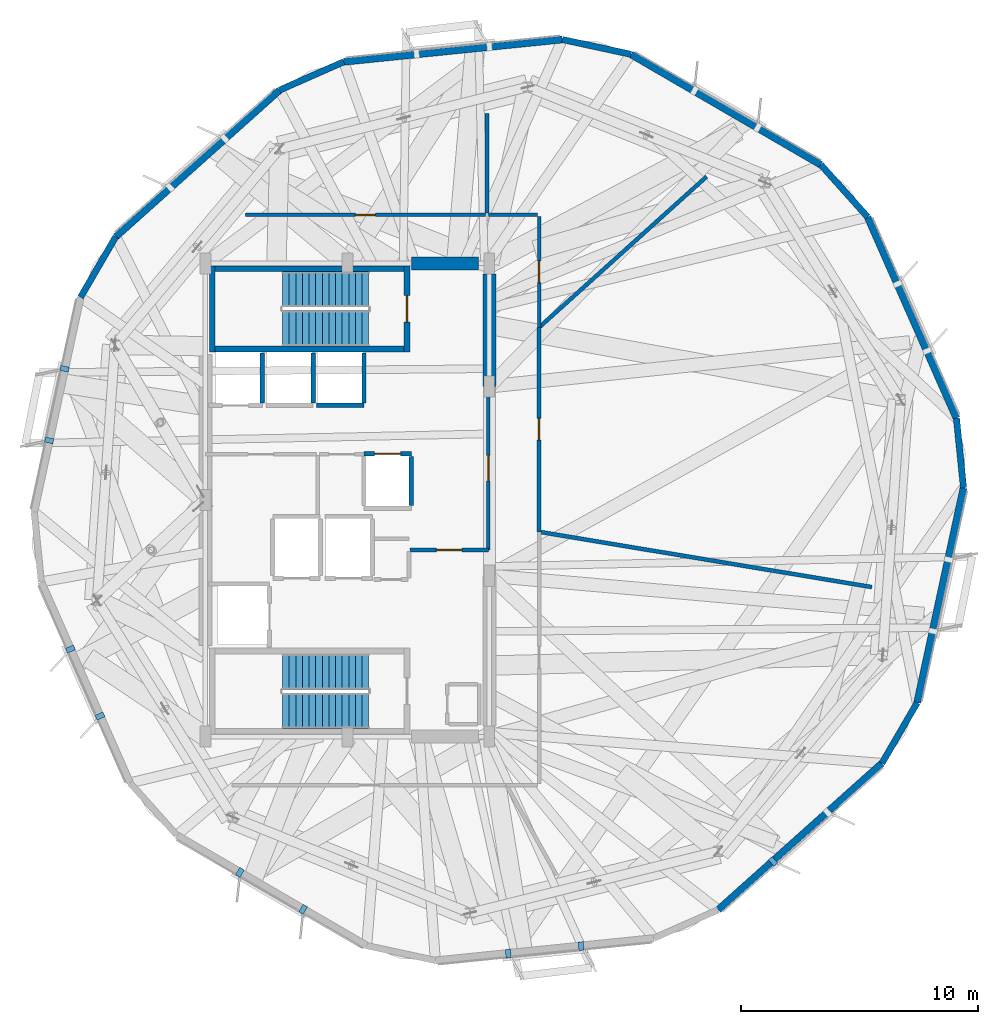
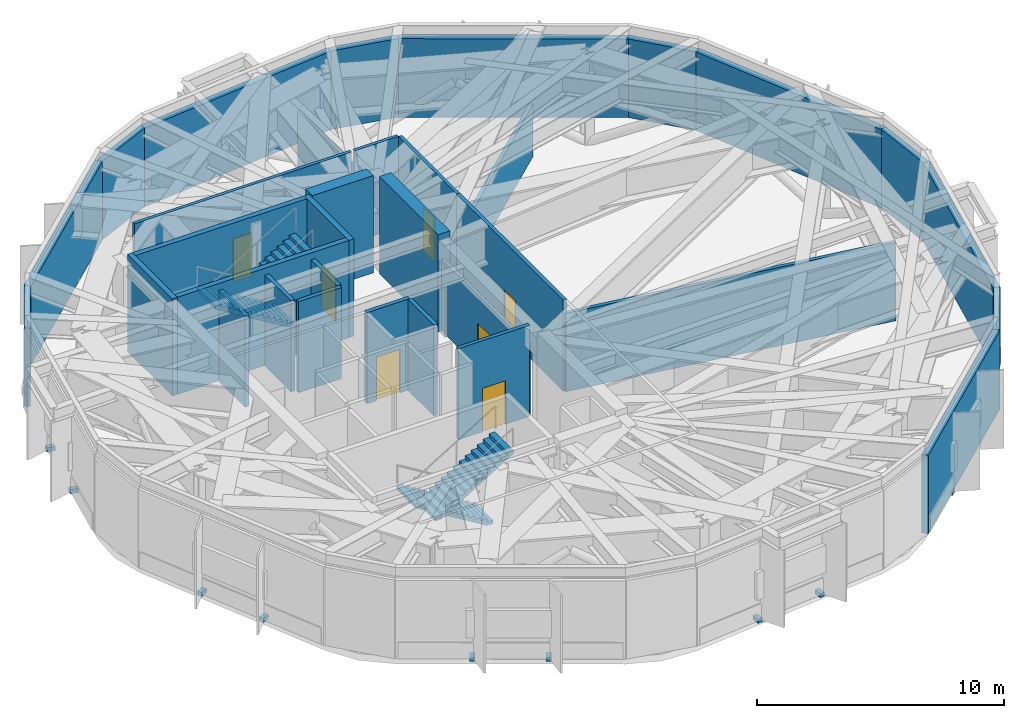
# One storey, part 9 of 14: 33 walls, 9 discrete accessories, 7 doors, 4 stair flights, 7 openings, 2 elements without a shape of their own.
"""IFC4 building model written with IfcOpenShell, lengths in metres."""

from ifc_helpers import new_model, si_unit, direction, frame, frame_2d, origin, origin_2d, place, context, subcontext, project, spatial, polyline, rectangle, outline, extrude, material, layer, layer_set, type_object, element, fill, aggregate, save


model = new_model("IFC4")

# Units and contexts
model_context = context("Model", 3, precision=1e-05, world=origin(), true_north=direction((0.0, 1.0)))
body_context = subcontext(model_context, "Body", "Model", "MODEL_VIEW")
ifc_project = project(units=[si_unit("LENGTHUNIT", "METRE"), si_unit("AREAUNIT", "SQUARE_METRE"), si_unit("VOLUMEUNIT", "CUBIC_METRE"), si_unit("PLANEANGLEUNIT", "RADIAN"), si_unit("MASSUNIT", "GRAM", prefix="KILO")], contexts=[model_context])

# Site, building, storey
site_placement = place(None, origin())
site = spatial("IfcSite", under=ifc_project, at=site_placement, CompositionType="ELEMENT")
building_placement = place(site_placement, origin())
building = spatial("IfcBuilding", under=site, at=building_placement, Name="Soratama Intermodal Tower", CompositionType="ELEMENT")
storey_placement = place(building_placement, frame((0.0, 0.0, 185.800048828125)))
storey = spatial("IfcBuildingStorey", under=building, at=storey_placement, Name="L46", CompositionType="ELEMENT", Elevation=185.800048828125)

# Walls
ifc_material_1 = material(Name="Concrete f'c 42 MPa", Category="concrete")
ifc_layer_1 = layer(ifc_material_1, 0.27001953125)
ifc_layer_set_1 = layer_set([ifc_layer_1], Name="Concrete f'c 42 MPa")
wall_type_1 = type_object("IfcWallType", Name="EW-CRN-270", PredefinedType="SOLIDWALL", material=ifc_layer_set_1)
wall_1_placement = place(storey_placement, frame((50.58349609375, 43.838134765625, 0.0), z_axis=(0.0, 0.0, 1.0), x_axis=(-0.977485778923, 0.211001308062, 0.0)))
element("IfcWall", 1, at=wall_1_placement, inside=storey, type_object=wall_type_1, Name="L46 Corner Closure Wall 01", PredefinedType="SOLIDWALL", context=body_context, shape_type="SweptSolid", body=[
    extrude(rectangle(XDim=2.966796875, YDim=0.27001953125, at=frame_2d((1.4833984375, 0.0))), origin(), (0.0, 0.0, 1.0), 3.87890625),
])
for number, where, z_axis, x_axis, name in (
    (2, (38.4443359375, 43.522216796875, 0.0), (0.0, 0.0, 1.0), (-0.914830177707, -0.403838762325, 0.0), "L46 Corner Closure Wall 02"),
    (3, (28.809326171875, 36.131591796875, 0.0), (0.0, 0.0, 1.0), (-0.502683394624, -0.864470592195, 0.0), "L46 Corner Closure Wall 03"),
    (4, (61.190673828125, 13.868408203125, 0.0), (0.0, 0.0, 1.0), (0.502683394624, 0.864470592195, 0.0), "L46 Corner Closure Wall 08"),
):
    element("IfcWall", number, at=place(storey_placement, frame(where, z_axis=z_axis, x_axis=x_axis)), inside=storey, type_object=wall_type_1, Name=name, PredefinedType="SOLIDWALL", context=body_context, shape_type="SweptSolid", body=[
        extrude(rectangle(XDim=2.966552734375, YDim=0.27001953125, at=frame_2d((1.4833984375, 0.0))), origin(), (0.0, 0.0, 1.0), 3.87890625),
    ])
wall_2_placement = place(storey_placement, frame((64.6416015625, 25.510986328125, 0.0), z_axis=(0.0, 0.0, 1.0), x_axis=(-0.101385701308, 0.994847194081, 0.0)))
element("IfcWall", 5, at=wall_2_placement, inside=storey, type_object=wall_type_1, Name="L46 Corner Closure Wall 09", PredefinedType="SOLIDWALL", context=body_context, shape_type="SweptSolid", body=[
    extrude(rectangle(XDim=2.966796875, YDim=0.27001953125, at=frame_2d((1.4833984375, 0.0))), origin(), (0.0, 0.0, 1.0), 3.87890625),
])
wall_3_placement = place(storey_placement, frame((60.58984375, 36.95849609375, 0.0), z_axis=(0.0, 0.0, 1.0), x_axis=(-0.666802076596, 0.745234856033, 0.0)))
element("IfcWall", 6, at=wall_3_placement, inside=storey, type_object=wall_type_1, Name="L46 Corner Closure Wall 10", PredefinedType="SOLIDWALL", context=body_context, shape_type="SweptSolid", body=[
    extrude(rectangle(XDim=2.966552734375, YDim=0.27001953125, at=frame_2d((1.4833984375, 0.0))), origin(), (0.0, 0.0, 1.0), 3.87890625),
])
ifc_material_2 = material(Name="Concrete f'c 42 MPa", Category="concrete")
ifc_layer_2 = layer(ifc_material_2, 0.300048828125)
ifc_layer_set_2 = layer_set([ifc_layer_2], Name="Concrete f'c 42 MPa")
wall_type_2 = type_object("IfcWallType", Name="EW-STONE-300", PredefinedType="SOLIDWALL", material=ifc_layer_set_2)
wall_4_placement = place(storey_placement, frame((58.61181640625, 39.169189453125, 0.0), z_axis=(0.0, 0.0, 1.0), x_axis=(-0.864445551727, 0.502726454544, 0.0)))
element("IfcWall", 7, at=wall_4_placement, inside=storey, type_object=wall_type_2, Name="L46 Plant Wall F01", PredefinedType="SOLIDWALL", context=body_context, shape_type="SweptSolid", body=[
    extrude(rectangle(XDim=9.287353515625, YDim=0.300048828125, at=frame_2d((4.6435546875, 0.0))), origin(), (0.0, 0.0, 1.0), 3.87890625),
])
for number, where, z_axis, x_axis, name in (
    (8, (47.68359375, 44.464111328125, 0.0), (0.0, 0.0, 1.0), (-0.994843782039, -0.101419176385, 0.0), "L46 Plant Wall F02"),
    (9, (35.73046875, 42.32421875, 0.0), (0.0, 0.0, 1.0), (-0.745239938456, -0.666796396308, 0.0), "L46 Plant Wall F03"),
    (10, (54.26953125, 7.67578125, 0.0), (0.0, 0.0, 1.0), (0.745239938456, 0.666796396308, 0.0), "L46 Plant Wall F08"),
):
    element("IfcWall", number, at=place(storey_placement, frame(where, z_axis=z_axis, x_axis=x_axis)), inside=storey, type_object=wall_type_2, Name=name, PredefinedType="SOLIDWALL", context=body_context, shape_type="SweptSolid", body=[
        extrude(rectangle(XDim=9.287109375, YDim=0.300048828125, at=frame_2d((4.6435546875, 0.0))), origin(), (0.0, 0.0, 1.0), 3.87890625),
    ])
for number, where, z_axis, x_axis, name in (
    (11, (62.681884765625, 16.432861328125, 0.0), (0.0, 0.0, 1.0), (0.211011733092, 0.977483528504, 0.0), "L46 Plant Wall F09"),
    (12, (64.3408203125, 28.46240234375, 0.0), (0.0, 0.0, 1.0), (-0.403883538706, 0.914810410502, 0.0), "L46 Plant Wall F10"),
):
    element("IfcWall", number, at=place(storey_placement, frame(where, z_axis=z_axis, x_axis=x_axis)), inside=storey, type_object=wall_type_2, Name=name, PredefinedType="SOLIDWALL", context=body_context, shape_type="SweptSolid", body=[
        extrude(rectangle(XDim=9.287353515625, YDim=0.300048828125, at=frame_2d((4.6435546875, 0.0))), origin(), (0.0, 0.0, 1.0), 3.87890625),
    ])

# Wall, opening, door
ifc_material_3 = material(Name="Fire-rated gypsum stud partition", Category="concrete")
ifc_layer_3 = layer(ifc_material_3, 0.14990234375)
ifc_layer_set_3 = layer_set([ifc_layer_3], Name="Fire-rated gypsum stud partition")
wall_type_3 = type_object("IfcWallType", Name="IW-PART-R150", PredefinedType="PARTITIONING", material=ifc_layer_set_3)
wall_5_placement = place(storey_placement, frame((44.56005859375, 29.800048828125, 0.0), z_axis=(0.0, 0.0, 1.0), x_axis=(0.0, -1.0, 0.0)))
wall_5 = element("IfcWall", 13, at=wall_5_placement, inside=storey, type_object=wall_type_3, Name="L46 Partition W-L46-TP003", PredefinedType="PARTITIONING", context=body_context, shape_type="SweptSolid", body=[
    extrude(rectangle(XDim=6.91015625, YDim=0.14990234375, at=frame_2d((3.455078125, 0.0))), origin(), (0.0, 0.0, 1.0), 3.5400390625),
])
opening_1_placement = place(wall_5_placement, frame((2.9150390625, 0.0, 0.0)))
opening_1 = element("IfcOpeningElement", 14, at=opening_1_placement, cuts=wall_5, Name="Opening ID-1", PredefinedType="OPENING", context=body_context, shape_type="SweptSolid", body=[
    extrude(rectangle(XDim=1.080078125, YDim=2.14990234375, at=frame_2d((0.5400390625, 1.074951171875))), frame((0.0, 0.0849609375, 0.0), z_axis=(0.0, -1.0, 0.0), x_axis=(1.0, 0.0, 0.0)), (0.0, 0.0, 1.0), 0.169921875),
])
ifc_material_4 = material(Name="Solid hardwood acoustic door", Category="wood")
door_type_1 = type_object("IfcDoorType", Name="DR-LOB-FD60", OperationType="NOTDEFINED", PredefinedType="DOOR", material=ifc_material_4)
door_1_placement = place(opening_1_placement, origin())
door_1 = element("IfcDoor", 15, at=door_1_placement, inside=storey, type_object=door_type_1, Name="L46 Door D-L46-TP003", OperationType="SINGLE_SWING_RIGHT", OverallHeight=2.14990234375, OverallWidth=1.080078125, PredefinedType="DOOR", context=body_context, shape_type="SweptSolid", body=[
    extrude(rectangle(XDim=1.080078125, YDim=2.14990234375, at=frame_2d((0.5400390625, 1.074951171875))), frame((0.0, 0.02490234375, 0.0), z_axis=(0.0, -1.0, 0.0), x_axis=(1.0, 0.0, 0.0)), (0.0, 0.0, 1.0), 0.050048828125),
])
fill(opening_1, door_1)

wall_6_placement = place(storey_placement, frame((46.699951171875, 36.97998046875, 0.0), z_axis=(0.0, 0.0, 1.0), x_axis=(0.0, -1.0, 0.0)))
wall_6 = element("IfcWall", 16, at=wall_6_placement, inside=storey, type_object=wall_type_3, Name="L46 Partition W-L46-TP005", PredefinedType="PARTITIONING", context=body_context, shape_type="SweptSolid", body=[
    extrude(rectangle(XDim=4.68701171875, YDim=0.14990234375, at=frame_2d((2.343505859375, 0.0))), origin(), (0.0, 0.0, 1.0), 4.5),
])
opening_2_placement = place(wall_6_placement, frame((1.867919921875, 0.0, 0.0)))
opening_2 = element("IfcOpeningElement", 17, at=opening_2_placement, cuts=wall_6, Name="Opening ID-6", PredefinedType="OPENING", context=body_context, shape_type="SweptSolid", body=[
    extrude(rectangle(XDim=0.919921875, YDim=2.1201171875, at=frame_2d((0.4599609375, 1.06005859375))), frame((0.0, 0.0849609375, 0.0), z_axis=(0.0, -1.0, 0.0), x_axis=(1.0, 0.0, 0.0)), (0.0, 0.0, 1.0), 0.169921875),
])
ifc_material_5 = material(Name="Solid hardwood acoustic door", Category="wood")
door_type_2 = type_object("IfcDoorType", Name="DR-ROOM-920", OperationType="NOTDEFINED", PredefinedType="DOOR", material=ifc_material_5)
door_2_placement = place(opening_2_placement, origin())
door_2 = element("IfcDoor", 18, at=door_2_placement, inside=storey, type_object=door_type_2, Name="L46 Door D-L46-TP005", OperationType="SINGLE_SWING_RIGHT", OverallHeight=2.1201171875, OverallWidth=0.919921875, PredefinedType="DOOR", context=body_context, shape_type="SweptSolid", body=[
    extrude(rectangle(XDim=0.919921875, YDim=2.1201171875, at=frame_2d((0.4599609375, 1.06005859375))), frame((0.0, 0.02490234375, 0.0), z_axis=(0.0, -1.0, 0.0), x_axis=(1.0, 0.0, 0.0)), (0.0, 0.0, 1.0), 0.050048828125),
])
fill(opening_2, door_2)

# Wall
wall_7_placement = place(storey_placement, frame((44.570068359375, 37.050048828125, 0.0), z_axis=(0.0, 0.0, 1.0), x_axis=(1.0, 0.0, 0.0)))
element("IfcWall", 19, at=wall_7_placement, inside=storey, type_object=wall_type_3, Name="L46 Partition W-L46-TP008", PredefinedType="PARTITIONING", context=body_context, shape_type="SweptSolid", body=[
    extrude(rectangle(XDim=2.059814453125, YDim=0.14990234375, at=frame_2d((1.02978515625, 0.0))), origin(), (0.0, 0.0, 1.0), 4.5),
])

# Wall, opening, door
wall_8_placement = place(storey_placement, frame((34.2919921875, 37.050048828125, 0.0), z_axis=(0.0, 0.0, 1.0), x_axis=(1.0, 0.0, 0.0)))
wall_8 = element("IfcWall", 20, at=wall_8_placement, inside=storey, type_object=wall_type_3, Name="L46 Partition W-L46-TP015", PredefinedType="PARTITIONING", context=body_context, shape_type="SweptSolid", body=[
    extrude(rectangle(XDim=10.137939453125, YDim=0.14990234375, at=frame_2d((5.06884765625, 0.0))), origin(), (0.0, 0.0, 1.0), 4.5),
])
opening_3_placement = place(wall_8_placement, frame((4.64404296875, 0.0, 0.0)))
opening_3 = element("IfcOpeningElement", 21, at=opening_3_placement, cuts=wall_8, Name="Opening ID-4", PredefinedType="OPENING", context=body_context, shape_type="SweptSolid", body=[
    extrude(rectangle(XDim=0.85009765625, YDim=2.10009765625, at=frame_2d((0.425048828125, 1.050048828125))), frame((0.0, 0.0849609375, 0.0), z_axis=(0.0, -1.0, 0.0), x_axis=(1.0, 0.0, 0.0)), (0.0, 0.0, 1.0), 0.169921875),
])
ifc_material_6 = material(Name="Solid hardwood acoustic door", Category="wood")
door_type_3 = type_object("IfcDoorType", Name="DR-BATH-850", OperationType="NOTDEFINED", PredefinedType="DOOR", material=ifc_material_6)
door_3_placement = place(opening_3_placement, origin())
door_3 = element("IfcDoor", 22, at=door_3_placement, inside=storey, type_object=door_type_3, Name="L46 Door D-L46-TP009", OperationType="SINGLE_SWING_LEFT", OverallHeight=2.10009765625, OverallWidth=0.85009765625, PredefinedType="DOOR", context=body_context, shape_type="SweptSolid", body=[
    extrude(rectangle(XDim=0.85009765625, YDim=2.10009765625, at=frame_2d((0.425048828125, 1.050048828125))), frame((0.0, 0.02490234375, 0.0), z_axis=(0.0, -1.0, 0.0), x_axis=(1.0, 0.0, 0.0)), (0.0, 0.0, 1.0), 0.050048828125),
])
fill(opening_3, door_3)

# Wall
wall_9_placement = place(storey_placement, frame((44.5, 41.341064453125, 0.0), z_axis=(0.0, 0.0, 1.0), x_axis=(0.0, -1.0, 0.0)))
element("IfcWall", 23, at=wall_9_placement, inside=storey, type_object=wall_type_3, Name="L46 Partition W-L46-TP018", PredefinedType="PARTITIONING", context=body_context, shape_type="SweptSolid", body=[
    extrude(rectangle(XDim=4.220947265625, YDim=0.14990234375, at=frame_2d((2.1103515625, 0.0))), origin(), (0.0, 0.0, 1.0), 3.8740234375),
])

# Wall, opening, door
ifc_material_7 = material(Name="Fire-rated gypsum stud partition", Category="concrete")
ifc_layer_4 = layer(ifc_material_7, 0.169921875)
ifc_layer_set_4 = layer_set([ifc_layer_4], Name="Fire-rated gypsum stud partition")
wall_type_4 = type_object("IfcWallType", Name="IW-PART-R170", PredefinedType="PARTITIONING", material=ifc_layer_set_4)
wall_10_placement = place(storey_placement, frame((46.699951171875, 32.29296875, 0.0), z_axis=(0.0, 0.0, 1.0), x_axis=(0.0, -1.0, 0.0)))
wall_10 = element("IfcWall", 24, at=wall_10_placement, inside=storey, type_object=wall_type_4, Name="L46 Partition W-L46-TP002", PredefinedType="PARTITIONING", context=body_context, shape_type="SweptSolid", body=[
    extrude(rectangle(XDim=8.638916015625, YDim=0.169921875, at=frame_2d((4.3193359375, 0.0))), origin(), (0.0, 0.0, 1.0), 4.5),
])
opening_4_placement = place(wall_10_placement, frame((3.843994140625, 0.0, 0.0)))
opening_4 = element("IfcOpeningElement", 25, at=opening_4_placement, cuts=wall_10, Name="Opening ID-6", PredefinedType="OPENING", context=body_context, shape_type="SweptSolid", body=[
    extrude(rectangle(XDim=0.919921875, YDim=2.1201171875, at=frame_2d((0.4599609375, 1.06005859375))), frame((0.0, 0.094970703125, 0.0), z_axis=(0.0, -1.0, 0.0), x_axis=(1.0, 0.0, 0.0)), (0.0, 0.0, 1.0), 0.18994140625),
])
door_4_placement = place(opening_4_placement, origin())
door_4 = element("IfcDoor", 26, at=door_4_placement, inside=storey, type_object=door_type_2, Name="L46 Door D-L46-TP002", OperationType="SINGLE_SWING_LEFT", OverallHeight=2.1201171875, OverallWidth=0.919921875, PredefinedType="DOOR", context=body_context, shape_type="SweptSolid", body=[
    extrude(rectangle(XDim=0.919921875, YDim=2.1201171875, at=frame_2d((0.4599609375, 1.06005859375))), frame((0.0, 0.02490234375, 0.0), z_axis=(0.0, -1.0, 0.0), x_axis=(1.0, 0.0, 0.0)), (0.0, 0.0, 1.0), 0.050048828125),
])
fill(opening_4, door_4)

wall_11_placement = place(storey_placement, frame((41.239990234375, 22.889892578125, 0.0), z_axis=(0.0, 0.0, 1.0), x_axis=(1.0, 0.0, 0.0)))
wall_11 = element("IfcWall", 27, at=wall_11_placement, inside=storey, type_object=wall_type_4, Name="L46 Partition W-L46-TP006", PredefinedType="PARTITIONING", context=body_context, shape_type="SweptSolid", body=[
    extrude(rectangle(XDim=3.320068359375, YDim=0.169921875, at=frame_2d((1.66015625, 0.0))), origin(), (0.0, 0.0, 1.0), 4.5),
])
opening_5_placement = place(wall_11_placement, frame((1.1201171875, 0.0, 0.0)))
opening_5 = element("IfcOpeningElement", 28, at=opening_5_placement, cuts=wall_11, Name="Opening ID-0", PredefinedType="OPENING", context=body_context, shape_type="SweptSolid", body=[
    extrude(rectangle(XDim=1.080078125, YDim=2.14990234375, at=frame_2d((0.5400390625, 1.074951171875))), frame((0.0, 0.094970703125, 0.0), z_axis=(0.0, -1.0, 0.0), x_axis=(1.0, 0.0, 0.0)), (0.0, 0.0, 1.0), 0.18994140625),
])
ifc_material_8 = material(Name="Solid hardwood acoustic door", Category="wood")
door_type_4 = type_object("IfcDoorType", Name="DR-LOB-FD90", OperationType="NOTDEFINED", PredefinedType="DOOR", material=ifc_material_8)
door_5_placement = place(opening_5_placement, origin())
door_5 = element("IfcDoor", 29, at=door_5_placement, inside=storey, type_object=door_type_4, Name="L46 Door D-L46-TP006", OperationType="SINGLE_SWING_LEFT", OverallHeight=2.14990234375, OverallWidth=1.080078125, PredefinedType="DOOR", context=body_context, shape_type="SweptSolid", body=[
    extrude(rectangle(XDim=1.080078125, YDim=2.14990234375, at=frame_2d((0.5400390625, 1.074951171875))), frame((0.0, 0.02490234375, 0.0), z_axis=(0.0, -1.0, 0.0), x_axis=(1.0, 0.0, 0.0)), (0.0, 0.0, 1.0), 0.050048828125),
])
fill(opening_5, door_5)

# Walls
wall_12_placement = place(storey_placement, frame((60.76806640625, 21.319091796875, 0.0), z_axis=(0.0, 0.0, 1.0), x_axis=(-0.986504286451, 0.163735435427, 0.0)))
element("IfcWall", 30, at=wall_12_placement, inside=storey, type_object=wall_type_4, Name="L46 Partition W-L46-TP013", PredefinedType="PARTITIONING", context=body_context, shape_type="SweptSolid", body=[
    extrude(rectangle(XDim=14.260498046875, YDim=0.169921875, at=frame_2d((7.13037109375, 0.0))), origin(), (0.0, 0.0, 1.0), 3.8740234375),
])
wall_13_placement = place(storey_placement, frame((53.781005859375, 38.6689453125, 0.0), z_axis=(0.0, 0.0, 1.0), x_axis=(-0.743136147703, -0.669140243878, 0.0)))
element("IfcWall", 31, at=wall_13_placement, inside=storey, type_object=wall_type_4, Name="L46 Partition W-L46-TP016", PredefinedType="PARTITIONING", context=body_context, shape_type="SweptSolid", body=[
    extrude(rectangle(XDim=9.528564453125, YDim=0.169921875, at=frame_2d((4.76416015625, 0.0))), origin(), (0.0, 0.0, 1.0), 2.570068359375),
])

# Wall, opening, door
ifc_material_9 = material(Name="Concrete f'c 42 MPa", Category="concrete")
ifc_layer_5 = layer(ifc_material_9, 0.18505859375)
ifc_layer_set_5 = layer_set([ifc_layer_5], Name="Concrete f'c 42 MPa")
wall_type_5 = type_object("IfcWallType", Name="IW-SHAFT-185", PredefinedType="SOLIDWALL", material=ifc_layer_set_5)
wall_14_placement = place(storey_placement, frame((39.300048828125, 26.949951171875, 0.0), z_axis=(0.0, 0.0, 1.0), x_axis=(1.0, 0.0, 0.0)))
wall_14 = element("IfcWall", 32, at=wall_14_placement, inside=storey, type_object=wall_type_5, Name="L46 PL-M1 Hoistway Wall N", PredefinedType="SOLIDWALL", context=body_context, shape_type="SweptSolid", body=[
    extrude(rectangle(XDim=2.0, YDim=0.18505859375, at=frame_2d((1.0, 0.0))), origin(), (0.0, 0.0, 1.0), 4.5),
])
opening_6_placement = place(wall_14_placement, frame((0.449951171875, 0.0, 0.0)))
opening_6 = element("IfcOpeningElement", 33, at=opening_6_placement, cuts=wall_14, Name="Opening LD-1", PredefinedType="OPENING", context=body_context, shape_type="SweptSolid", body=[
    extrude(rectangle(XDim=1.10009765625, YDim=2.14990234375, at=frame_2d((0.550048828125, 1.074951171875))), frame((0.0, 0.1025390625, 0.0), z_axis=(0.0, -1.0, 0.0), x_axis=(1.0, 0.0, 0.0)), (0.0, 0.0, 1.0), 0.205078125),
])
ifc_material_10 = material(Name="Steel fire door", Category="steel")
door_type_5 = type_object("IfcDoorType", Name="DR-LIFT-SLIDE", OperationType="NOTDEFINED", PredefinedType="DOOR", material=ifc_material_10)
door_6_placement = place(opening_6_placement, origin())
door_6 = element("IfcDoor", 34, at=door_6_placement, inside=storey, type_object=door_type_5, Name="L46 PL-M1 Sliding Landing Door", OperationType="SLIDING_TO_LEFT", OverallHeight=2.14990234375, OverallWidth=1.10009765625, PredefinedType="DOOR", context=body_context, shape_type="SweptSolid", body=[
    extrude(rectangle(XDim=1.10009765625, YDim=2.14990234375, at=frame_2d((0.550048828125, 1.074951171875))), frame((0.0, 0.02490234375, 0.0), z_axis=(0.0, -1.0, 0.0), x_axis=(1.0, 0.0, 0.0)), (0.0, 0.0, 1.0), 0.050048828125),
])
fill(opening_6, door_6)

# Walls
wall_15_placement = place(storey_placement, frame((41.300048828125, 24.760009765625, 0.0), z_axis=(0.0, 0.0, 1.0), x_axis=(0.0, 1.0, 0.0)))
element("IfcWall", 35, at=wall_15_placement, inside=storey, type_object=wall_type_5, Name="L46 PL-M1 Hoistway Wall E", PredefinedType="SOLIDWALL", context=body_context, shape_type="SweptSolid", body=[
    extrude(rectangle(XDim=2.080078125, YDim=0.18505859375, at=frame_2d((1.0400390625, 0.0))), origin(), (0.0, 0.0, 1.0), 4.5),
])
for number, where, z_axis, x_axis, name in (
    (36, (35.0, 29.110107421875, 0.0), (0.0, 0.0, 1.0), (0.0, 1.0, 0.0), "L46 PL-M2 Hoistway Wall E"),
    (37, (37.14990234375, 29.110107421875, 0.0), (0.0, 0.0, 1.0), (0.0, 1.0, 0.0), "L46 PL-H1 Hoistway Wall E"),
):
    element("IfcWall", number, at=place(storey_placement, frame(where, z_axis=z_axis, x_axis=x_axis)), inside=storey, type_object=wall_type_5, Name=name, PredefinedType="SOLIDWALL", context=body_context, shape_type="SweptSolid", body=[
        extrude(rectangle(XDim=2.099853515625, YDim=0.18505859375, at=frame_2d((1.0498046875, 0.0))), origin(), (0.0, 0.0, 1.0), 4.5),
    ])
wall_16_placement = place(storey_placement, frame((37.300048828125, 29.0, 0.0), z_axis=(0.0, 0.0, 1.0), x_axis=(1.0, 0.0, 0.0)))
element("IfcWall", 38, at=wall_16_placement, inside=storey, type_object=wall_type_5, Name="L46 PL-H2 Hoistway Wall S", PredefinedType="SOLIDWALL", context=body_context, shape_type="SweptSolid", body=[
    extrude(rectangle(XDim=2.0, YDim=0.18505859375, at=frame_2d((1.0, 0.0))), origin(), (0.0, 0.0, 1.0), 4.5),
])
wall_17_placement = place(storey_placement, frame((39.300048828125, 29.110107421875, 0.0), z_axis=(0.0, 0.0, 1.0), x_axis=(0.0, 1.0, 0.0)))
element("IfcWall", 39, at=wall_17_placement, inside=storey, type_object=wall_type_5, Name="L46 PL-H2 Hoistway Wall E", PredefinedType="SOLIDWALL", context=body_context, shape_type="SweptSolid", body=[
    extrude(rectangle(XDim=2.099853515625, YDim=0.18505859375, at=frame_2d((1.0498046875, 0.0))), origin(), (0.0, 0.0, 1.0), 4.5),
])
ifc_material_11 = material(Name="Concrete f'c 56 MPa", Category="concrete")
ifc_layer_6 = layer(ifc_material_11, 0.550048828125)
ifc_layer_set_6 = layer_set([ifc_layer_6], Name="Concrete f'c 56 MPa")
wall_type_6 = type_object("IfcWallType", Name="SW-CORE-550", PredefinedType="SHEAR", material=ifc_layer_set_6)
wall_18_placement = place(storey_placement, frame((41.300048828125, 35.0, 0.0), z_axis=(0.0, 0.0, 1.0), x_axis=(1.0, 0.0, 0.0)))
element("IfcWall", 40, at=wall_18_placement, inside=storey, type_object=wall_type_6, Name="L46 Core Shear Wall CW-NE", PredefinedType="SHEAR", context=body_context, shape_type="SweptSolid", body=[
    extrude(rectangle(XDim=2.849853515625, YDim=0.550048828125, at=frame_2d((1.4248046875, 0.0))), origin(), (0.0, 0.0, 1.0), 4.800048828125),
])
wall_19_placement = place(storey_placement, frame((44.60009765625, 29.800048828125, 0.0), z_axis=(0.0, 0.0, 1.0), x_axis=(0.0, 1.0, 0.0)))
element("IfcWall", 41, at=wall_19_placement, inside=storey, type_object=wall_type_6, Name="L46 Core Shear Wall CW-EN", PredefinedType="SHEAR", context=body_context, shape_type="SweptSolid", body=[
    extrude(rectangle(XDim=4.75, YDim=0.550048828125, at=frame_2d((2.375, 0.0))), origin(), (0.0, 0.0, 1.0), 4.800048828125),
])
ifc_material_12 = material(Name="Concrete f'c 56 MPa", Category="concrete")
ifc_layer_7 = layer(ifc_material_12, 0.239990234375)
ifc_layer_set_7 = layer_set([ifc_layer_7], Name="Concrete f'c 56 MPa")
wall_type_7 = type_object("IfcWallType", Name="SW-STAIR-240", PredefinedType="SHEAR", material=ifc_layer_set_7)
wall_20_placement = place(storey_placement, frame((32.8798828125, 31.260009765625, 0.0), z_axis=(0.0, 0.0, 1.0), x_axis=(0.0, 1.0, 0.0)))
element("IfcWall", 42, at=wall_20_placement, inside=storey, type_object=wall_type_7, Name="L46 ST-2 Shaft Shear Wall W", PredefinedType="SHEAR", context=body_context, shape_type="SweptSolid", body=[
    extrude(rectangle(XDim=3.6298828125, YDim=0.239990234375, at=frame_2d((1.81494140625, 0.0))), origin(), (0.0, 0.0, 1.0), 4.800048828125),
])

# Wall, opening, door
wall_21_placement = place(storey_placement, frame((41.1201171875, 31.260009765625, 0.0), z_axis=(0.0, 0.0, 1.0), x_axis=(0.0, 1.0, 0.0)))
wall_21 = element("IfcWall", 43, at=wall_21_placement, inside=storey, type_object=wall_type_7, Name="L46 ST-2 Shaft Shear Wall E", PredefinedType="SHEAR", context=body_context, shape_type="SweptSolid", body=[
    extrude(rectangle(XDim=3.6298828125, YDim=0.239990234375, at=frame_2d((1.81494140625, 0.0))), origin(), (0.0, 0.0, 1.0), 4.800048828125),
])
opening_7_placement = place(wall_21_placement, frame((1.2548828125, 0.0, 0.0)))
opening_7 = element("IfcOpeningElement", 44, at=opening_7_placement, cuts=wall_21, Name="Opening SD-1", PredefinedType="OPENING", context=body_context, shape_type="SweptSolid", body=[
    extrude(rectangle(XDim=1.1201171875, YDim=2.14990234375, at=frame_2d((0.56005859375, 1.074951171875))), frame((0.0, 0.1298828125, 0.0), z_axis=(0.0, -1.0, 0.0), x_axis=(1.0, 0.0, 0.0)), (0.0, 0.0, 1.0), 0.260009765625),
])
ifc_material_13 = material(Name="Steel fire door", Category="steel")
door_type_6 = type_object("IfcDoorType", Name="DR-STAIR-FD90", OperationType="NOTDEFINED", PredefinedType="DOOR", material=ifc_material_13)
door_7_placement = place(opening_7_placement, origin())
door_7 = element("IfcDoor", 45, at=door_7_placement, inside=storey, type_object=door_type_6, Name="L46 ST-2 Exit Stair Door", OperationType="SINGLE_SWING_RIGHT", OverallHeight=2.14990234375, OverallWidth=1.1201171875, PredefinedType="DOOR", context=body_context, shape_type="SweptSolid", body=[
    extrude(rectangle(XDim=1.1201171875, YDim=2.14990234375, at=frame_2d((0.56005859375, 1.074951171875))), frame((0.0, 0.02490234375, 0.0), z_axis=(0.0, -1.0, 0.0), x_axis=(1.0, 0.0, 0.0)), (0.0, 0.0, 1.0), 0.050048828125),
])
fill(opening_7, door_7)

# Walls
for number, where, z_axis, x_axis, name in (
    (46, (33.0, 31.3798828125, 0.0), (0.0, 0.0, 1.0), (1.0, 0.0, 0.0), "L46 ST-2 Shaft Shear Wall S"),
    (47, (33.0, 34.77001953125, 0.0), (0.0, 0.0, 1.0), (1.0, 0.0, 0.0), "L46 ST-2 Shaft Shear Wall N"),
):
    element("IfcWall", number, at=place(storey_placement, frame(where, z_axis=z_axis, x_axis=x_axis)), inside=storey, type_object=wall_type_7, Name=name, PredefinedType="SHEAR", context=body_context, shape_type="SweptSolid", body=[
        extrude(rectangle(XDim=8.0, YDim=0.239990234375, at=frame_2d((4.0, 0.0))), origin(), (0.0, 0.0, 1.0), 4.800048828125),
    ])

# Stair, stair flights
ifc_material_14 = material(Name="Concrete f'c 42 MPa", Category="concrete")
stair_type = type_object("IfcStairType", Name="ST-CORE-DOGLEG", PredefinedType="HALF_TURN_STAIR", material=ifc_material_14)
stair_1_placement = place(storey_placement, origin())
stair_1 = element("IfcStair", 48, at=stair_1_placement, inside=storey, type_object=stair_type, Name="L46 ST-1", PredefinedType="HALF_TURN_STAIR")
ifc_material_15 = material(Name="Precast concrete f'c 40 MPa", Category="concrete")
ifc_layer_8 = layer(ifc_material_15, 0.199951171875)
ifc_layer_set_8 = layer_set([ifc_layer_8], Name="Precast concrete f'c 40 MPa")
stair_flight_type = type_object("IfcStairFlightType", Name="SF-FLIGHT-RC", PredefinedType="STRAIGHT", material=ifc_layer_set_8)
stair_flight_1_placement = place(storey_placement, frame((39.5, 17.75, 0.0), z_axis=(0.0, 0.0, 1.0), x_axis=(-1.0, 0.0, 0.0)))
stair_flight_1 = element("IfcStairFlight", 49, at=stair_flight_1_placement, type_object=stair_flight_type, Name="ST-1 flight 1", NumberOfRisers=14, NumberOfTreads=13, PredefinedType="STRAIGHT", RiserHeight=0.171428571, TreadLength=0.28, context=body_context, shape_type="SweptSolid", body=[
    extrude(outline(polyline([(0.0, 0.0), (0.0, 0.17138671875), (0.280029296875, 0.17138671875), (0.280029296875, 0.3427734375), (0.56005859375, 0.3427734375), (0.56005859375, 0.514404296875), (0.840087890625, 0.514404296875), (0.840087890625, 0.685791015625), (1.1201171875, 0.685791015625), (1.1201171875, 0.857177734375), (1.39990234375, 0.857177734375), (1.39990234375, 1.028564453125), (1.679931640625, 1.028564453125), (1.679931640625, 1.199951171875), (1.9599609375, 1.199951171875), (1.9599609375, 1.371337890625), (2.239990234375, 1.371337890625), (2.239990234375, 1.54296875), (2.52001953125, 1.54296875), (2.52001953125, 1.71435546875), (2.800048828125, 1.71435546875), (2.800048828125, 1.8857421875), (3.080078125, 1.8857421875), (3.080078125, 2.05712890625), (3.360107421875, 2.05712890625), (3.360107421875, 2.228515625), (3.639892578125, 2.228515625), (3.639892578125, 2.39990234375), (3.639892578125, 2.052734375), (0.287109375, 0.0), (0.0, 0.0)])), frame((0.0, 0.75, 0.0), z_axis=(0.0, -1.0, 0.0), x_axis=(1.0, 0.0, 0.0)), (0.0, 0.0, 1.0), 1.5),
])
stair_flight_2_placement = place(storey_placement, frame((35.860107421875, 16.10009765625, 2.39990234375), z_axis=(0.0, 0.0, 1.0), x_axis=(1.0, 0.0, 0.0)))
stair_flight_2 = element("IfcStairFlight", 50, at=stair_flight_2_placement, type_object=stair_flight_type, Name="ST-1 flight 2", NumberOfRisers=14, NumberOfTreads=13, PredefinedType="STRAIGHT", RiserHeight=0.171428571, TreadLength=0.28, context=body_context, shape_type="SweptSolid", body=[
    extrude(outline(polyline([(0.0, 0.0), (0.0, 0.17138671875), (0.280029296875, 0.17138671875), (0.280029296875, 0.3427734375), (0.56005859375, 0.3427734375), (0.56005859375, 0.514404296875), (0.840087890625, 0.514404296875), (0.840087890625, 0.685791015625), (1.1201171875, 0.685791015625), (1.1201171875, 0.857177734375), (1.39990234375, 0.857177734375), (1.39990234375, 1.028564453125), (1.679931640625, 1.028564453125), (1.679931640625, 1.199951171875), (1.9599609375, 1.199951171875), (1.9599609375, 1.371337890625), (2.239990234375, 1.371337890625), (2.239990234375, 1.54296875), (2.52001953125, 1.54296875), (2.52001953125, 1.71435546875), (2.800048828125, 1.71435546875), (2.800048828125, 1.8857421875), (3.080078125, 1.8857421875), (3.080078125, 2.05712890625), (3.360107421875, 2.05712890625), (3.360107421875, 2.228515625), (3.639892578125, 2.228515625), (3.639892578125, 2.39990234375), (3.639892578125, 2.052734375), (0.287109375, 0.0), (0.0, 0.0)])), frame((0.0, 0.75, 0.0), z_axis=(0.0, -1.0, 0.0), x_axis=(1.0, 0.0, 0.0)), (0.0, 0.0, 1.0), 1.5),
])
aggregate(stair_1, [stair_flight_1, stair_flight_2])

stair_2_placement = place(storey_placement, origin())
stair_2 = element("IfcStair", 51, at=stair_2_placement, inside=storey, type_object=stair_type, Name="L46 ST-2", PredefinedType="HALF_TURN_STAIR")
stair_flight_3_placement = place(storey_placement, frame((39.5, 33.89990234375, 0.0), z_axis=(0.0, 0.0, 1.0), x_axis=(-1.0, 0.0, 0.0)))
stair_flight_3 = element("IfcStairFlight", 52, at=stair_flight_3_placement, type_object=stair_flight_type, Name="ST-2 flight 1", NumberOfRisers=14, NumberOfTreads=13, PredefinedType="STRAIGHT", RiserHeight=0.171428571, TreadLength=0.28, context=body_context, shape_type="SweptSolid", body=[
    extrude(outline(polyline([(0.0, 0.0), (0.0, 0.17138671875), (0.280029296875, 0.17138671875), (0.280029296875, 0.3427734375), (0.56005859375, 0.3427734375), (0.56005859375, 0.514404296875), (0.840087890625, 0.514404296875), (0.840087890625, 0.685791015625), (1.1201171875, 0.685791015625), (1.1201171875, 0.857177734375), (1.39990234375, 0.857177734375), (1.39990234375, 1.028564453125), (1.679931640625, 1.028564453125), (1.679931640625, 1.199951171875), (1.9599609375, 1.199951171875), (1.9599609375, 1.371337890625), (2.239990234375, 1.371337890625), (2.239990234375, 1.54296875), (2.52001953125, 1.54296875), (2.52001953125, 1.71435546875), (2.800048828125, 1.71435546875), (2.800048828125, 1.8857421875), (3.080078125, 1.8857421875), (3.080078125, 2.05712890625), (3.360107421875, 2.05712890625), (3.360107421875, 2.228515625), (3.639892578125, 2.228515625), (3.639892578125, 2.39990234375), (3.639892578125, 2.052734375), (0.287109375, 0.0), (0.0, 0.0)])), frame((0.0, 0.75, 0.0), z_axis=(0.0, -1.0, 0.0), x_axis=(1.0, 0.0, 0.0)), (0.0, 0.0, 1.0), 1.5),
])
stair_flight_4_placement = place(storey_placement, frame((35.860107421875, 32.25, 2.39990234375), z_axis=(0.0, 0.0, 1.0), x_axis=(1.0, 0.0, 0.0)))
stair_flight_4 = element("IfcStairFlight", 53, at=stair_flight_4_placement, type_object=stair_flight_type, Name="ST-2 flight 2", NumberOfRisers=14, NumberOfTreads=13, PredefinedType="STRAIGHT", RiserHeight=0.171428571, TreadLength=0.28, context=body_context, shape_type="SweptSolid", body=[
    extrude(outline(polyline([(0.0, 0.0), (0.0, 0.17138671875), (0.280029296875, 0.17138671875), (0.280029296875, 0.3427734375), (0.56005859375, 0.3427734375), (0.56005859375, 0.514404296875), (0.840087890625, 0.514404296875), (0.840087890625, 0.685791015625), (1.1201171875, 0.685791015625), (1.1201171875, 0.857177734375), (1.39990234375, 0.857177734375), (1.39990234375, 1.028564453125), (1.679931640625, 1.028564453125), (1.679931640625, 1.199951171875), (1.9599609375, 1.199951171875), (1.9599609375, 1.371337890625), (2.239990234375, 1.371337890625), (2.239990234375, 1.54296875), (2.52001953125, 1.54296875), (2.52001953125, 1.71435546875), (2.800048828125, 1.71435546875), (2.800048828125, 1.8857421875), (3.080078125, 1.8857421875), (3.080078125, 2.05712890625), (3.360107421875, 2.05712890625), (3.360107421875, 2.228515625), (3.639892578125, 2.228515625), (3.639892578125, 2.39990234375), (3.639892578125, 2.052734375), (0.287109375, 0.0), (0.0, 0.0)])), frame((0.0, 0.75, 0.0), z_axis=(0.0, -1.0, 0.0), x_axis=(1.0, 0.0, 0.0)), (0.0, 0.0, 1.0), 1.5),
])
aggregate(stair_2, [stair_flight_3, stair_flight_4])

# Discrete accessories
ifc_material_16 = material(Name="Structural steel ASTM A992 Grade 50", Category="steel")
discrete_accessory_type = type_object("IfcDiscreteAccessoryType", Name="AC-FIN-BRACKET", PredefinedType="BRACKET", material=ifc_material_16)
for number, where, z_axis, x_axis, name in (
    (54, (26.645263671875, 30.54541015625, -0.080078125), (0.0, 0.0, 1.0), (-0.977489601007, 0.210983601077, 0.0), "L46 Fin Bracket F04-1"),
    (55, (25.9921875, 27.519287109375, -0.080078125), (0.0, 0.0, 1.0), (-0.977489601007, 0.210983601077, 0.0), "L46 Fin Bracket F04-2"),
    (56, (26.891357421875, 18.697509765625, -0.080078125), (0.0, 0.0, 1.0), (-0.914818748228, -0.403864652935, 0.0), "L46 Fin Bracket F05-1"),
    (57, (28.1416015625, 15.865478515625, -0.080078125), (0.0, 0.0, 1.0), (-0.914818748228, -0.403864652935, 0.0), "L46 Fin Bracket F05-2"),
    (58, (34.05419921875, 9.257080078125, -0.080078125), (0.0, 0.0, 1.0), (-0.502718227172, -0.864450336381, 0.0), "L46 Fin Bracket F06-1"),
    (59, (36.730224609375, 7.700927734375, -0.080078125), (0.0, 0.0, 1.0), (-0.502718227172, -0.864450336381, 0.0), "L46 Fin Bracket F06-2"),
    (60, (45.398193359375, 5.830078125, -0.080078125), (0.0, 0.0, 1.0), (0.1014035699, -0.994845372916, 0.0), "L46 Fin Bracket F07-1"),
    (61, (48.477783203125, 6.14404296875, -0.080078125), (0.0, 0.0, 1.0), (0.1014035699, -0.994845372916, 0.0), "L46 Fin Bracket F07-2"),
    (62, (56.58984375, 9.72509765625, -0.080078125), (0.0, 0.0, 1.0), (0.66679264985, -0.745243290547, 0.0), "L46 Fin Bracket F08-1"),
):
    element("IfcDiscreteAccessory", number, at=place(storey_placement, frame(where, z_axis=z_axis, x_axis=x_axis)), inside=storey, type_object=discrete_accessory_type, Name=name, PredefinedType="BRACKET", context=body_context, shape_type="SweptSolid", body=[
        extrude(rectangle(XDim=0.360107421875, YDim=0.219970703125, at=origin_2d()), origin(), (0.0, 0.0, 1.0), 0.199951171875),
    ])

save(model, "model.ifc")
